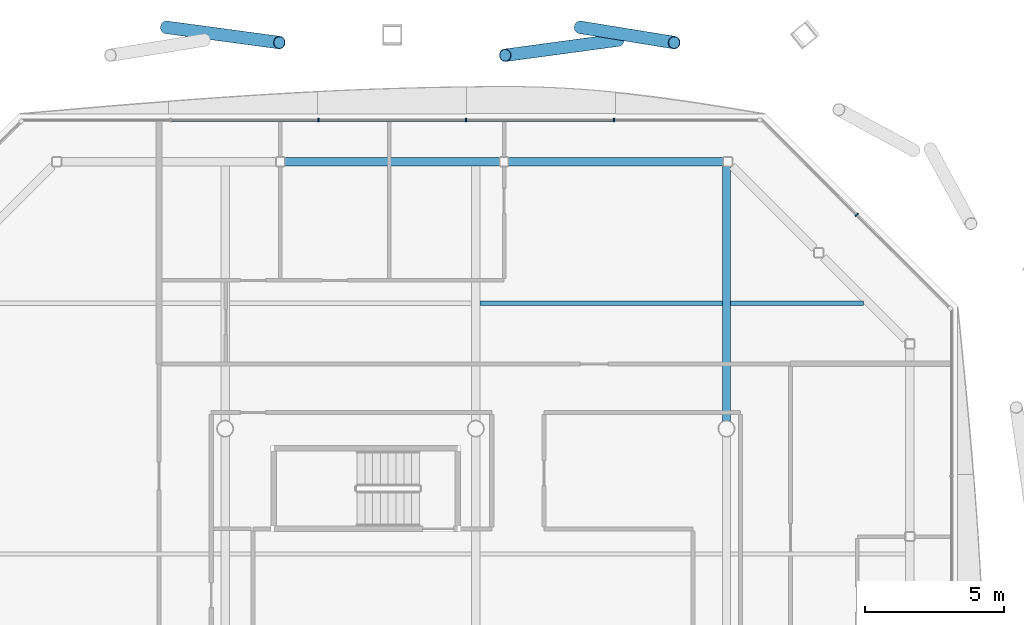
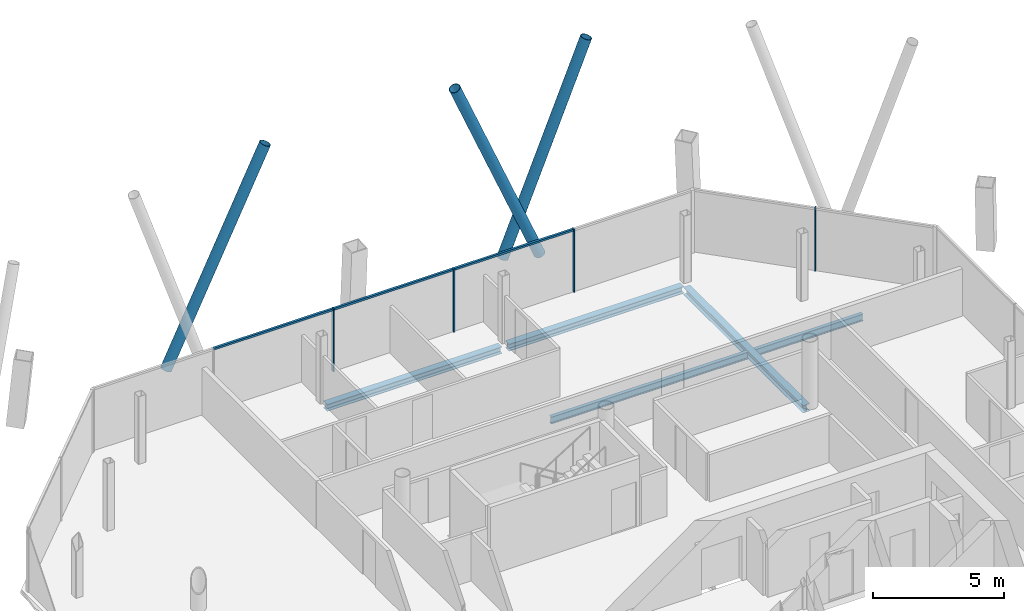
# One storey, part 10 of 19: 10 members, 5 beams, 2 elements without a shape of their own.
"""IFC4 building model written with IfcOpenShell, lengths in metres."""

from ifc_helpers import new_model, si_unit, direction, frame, origin, origin_2d, place, context, subcontext, project, spatial, rectangle, hollow_circle, i_section, extrude, material, material_profile, profile_set, type_object, element, aggregate, save


model = new_model("IFC4")

# Units and contexts
model_context = context("Model", 3, precision=1e-05, world=origin(), true_north=direction((0.0, 1.0)))
body_context = subcontext(model_context, "Body", "Model", "MODEL_VIEW")
ifc_project = project(units=[si_unit("LENGTHUNIT", "METRE"), si_unit("AREAUNIT", "SQUARE_METRE"), si_unit("VOLUMEUNIT", "CUBIC_METRE"), si_unit("PLANEANGLEUNIT", "RADIAN"), si_unit("MASSUNIT", "GRAM", prefix="KILO")], contexts=[model_context])

# Site, building, storey
site_placement = place(None, origin())
site = spatial("IfcSite", under=ifc_project, at=site_placement, CompositionType="ELEMENT")
building_placement = place(site_placement, origin())
building = spatial("IfcBuilding", under=site, at=building_placement, Name="Tskaro Facet Tower", CompositionType="ELEMENT")
storey_placement = place(building_placement, frame((0.0, 0.0, 191.10009765625)))
storey = spatial("IfcBuildingStorey", under=building, at=storey_placement, Name="L48", CompositionType="ELEMENT", Elevation=191.10009765625)

# Members
ifc_material_1 = material(Name="Steel S355J2H", Category="steel")
ifc_material_profile_1 = material_profile(ifc_material_1, hollow_circle(Radius=0.228515625, WallThickness=0.02001953125, at=origin_2d()), Name="CHS 457x20")
ifc_profile_set_1 = profile_set([ifc_material_profile_1], Name="Steel S355J2H")
member_type_1 = type_object("IfcMemberType", Name="CHS 457x20 brace", PredefinedType="BRACE", material=ifc_profile_set_1)
member_1_placement = place(storey_placement, frame((5.10791015625, 22.951904296875, 0.0), z_axis=(-0.393688073159, -0.053179304312, 0.917704561744), x_axis=(0.133864037519, -0.990999707093, 0.0)))
element("IfcMember", 1, at=member_1_placement, inside=storey, type_object=member_type_1, Name="CHS 457x20 XB07A/4", PredefinedType="BRACE", context=body_context, shape_type="SweptSolid", body=[
    extrude(hollow_circle(Radius=0.228515625, WallThickness=0.02001953125, at=origin_2d()), origin(), (0.0, 0.0, 1.0), 10.29736328125),
])
member_2_placement = place(storey_placement, frame((3.74853515625, 23.408935546875, 0.0), z_axis=(0.33577356224, -0.054492446285, 0.940365188743), x_axis=(0.160193408806, 0.987085645613, 0.0)))
element("IfcMember", 2, at=member_2_placement, inside=storey, type_object=member_type_1, Name="CHS 457x20 XB07B/4", PredefinedType="BRACE", context=body_context, shape_type="SweptSolid", body=[
    extrude(hollow_circle(Radius=0.228515625, WallThickness=0.02001953125, at=origin_2d()), origin(), (0.0, 0.0, 1.0), 10.04931640625),
])
member_3_placement = place(storey_placement, frame((-11.10791015625, 23.408935546875, 0.0), z_axis=(0.393688073159, -0.053179304312, 0.917704561744), x_axis=(0.133864037519, 0.990999707093, 0.0)))
element("IfcMember", 3, at=member_3_placement, inside=storey, type_object=member_type_1, Name="CHS 457x20 XB08B/4", PredefinedType="BRACE", context=body_context, shape_type="SweptSolid", body=[
    extrude(hollow_circle(Radius=0.228515625, WallThickness=0.02001953125, at=origin_2d()), origin(), (0.0, 0.0, 1.0), 10.29736328125),
])

# Curtain wall, member
ifc_material_2 = material(Name="Bronze anodised aluminium 6063-T6", Category="aluminium")
curtain_wall_type = type_object("IfcCurtainWallType", Name="Bronze residence curtain wall (FW3)", PredefinedType="NOTDEFINED", material=ifc_material_2)
curtain_wall_1_placement = place(storey_placement, origin())
curtain_wall_1 = element("IfcCurtainWall", 4, at=curtain_wall_1_placement, inside=storey, type_object=curtain_wall_type, Name="FW3 north-east facet L48", PredefinedType="NOTDEFINED")
ifc_material_profile_2 = material_profile(ifc_material_2, rectangle(XDim=0.050048828125, YDim=0.139892578125, at=origin_2d()), Name="Mullion 50x140")
ifc_profile_set_2 = profile_set([ifc_material_profile_2], Name="Bronze anodised aluminium 6063-T6")
member_type_2 = type_object("IfcMemberType", Name="FW3 bronze mullion 50x140", PredefinedType="MULLION", material=ifc_profile_set_2)
member_4_placement = place(storey_placement, frame((13.675048828125, 16.675048828125, 0.0), z_axis=(0.0, 0.0, 1.0), x_axis=(-0.707106781187, 0.707106781187, 0.0)))
member_4 = element("IfcMember", 5, at=member_4_placement, type_object=member_type_2, Name="FW3 north-east mullion 1", PredefinedType="MULLION", context=body_context, shape_type="SweptSolid", body=[
    extrude(rectangle(XDim=0.050048828125, YDim=0.139892578125, at=origin_2d()), origin(), (0.0, 0.0, 1.0), 2.949951171875),
])
aggregate(curtain_wall_1, [member_4])

# Curtain wall, members
curtain_wall_2_placement = place(storey_placement, origin())
curtain_wall_2 = element("IfcCurtainWall", 6, at=curtain_wall_2_placement, inside=storey, type_object=curtain_wall_type, Name="FW3 north facet L48", PredefinedType="NOTDEFINED")
member_5_placement = place(storey_placement, frame((4.9619140625, 20.080078125, 0.0), z_axis=(0.0, 0.0, 1.0), x_axis=(-1.0, 0.0, 0.0)))
member_5 = element("IfcMember", 7, at=member_5_placement, type_object=member_type_2, Name="FW3 north mullion 1", PredefinedType="MULLION", context=body_context, shape_type="SweptSolid", body=[
    extrude(rectangle(XDim=0.050048828125, YDim=0.139892578125, at=origin_2d()), origin(), (0.0, 0.0, 1.0), 2.949951171875),
])
member_6_placement = place(storey_placement, frame((-0.345947265625, 20.080078125, 0.0), z_axis=(0.0, 0.0, 1.0), x_axis=(-1.0, 0.0, 0.0)))
member_6 = element("IfcMember", 8, at=member_6_placement, type_object=member_type_2, Name="FW3 north mullion 2", PredefinedType="MULLION", context=body_context, shape_type="SweptSolid", body=[
    extrude(rectangle(XDim=0.050048828125, YDim=0.139892578125, at=origin_2d()), origin(), (0.0, 0.0, 1.0), 2.949951171875),
])
member_7_placement = place(storey_placement, frame((-5.654052734375, 20.080078125, 0.0), z_axis=(0.0, 0.0, 1.0), x_axis=(-1.0, 0.0, 0.0)))
member_7 = element("IfcMember", 9, at=member_7_placement, type_object=member_type_2, Name="FW3 north mullion 3", PredefinedType="MULLION", context=body_context, shape_type="SweptSolid", body=[
    extrude(rectangle(XDim=0.050048828125, YDim=0.139892578125, at=origin_2d()), origin(), (0.0, 0.0, 1.0), 2.949951171875),
])
ifc_material_profile_3 = material_profile(ifc_material_2, rectangle(XDim=0.10009765625, YDim=0.090087890625, at=origin_2d()), Name="Transom 100x90")
ifc_profile_set_3 = profile_set([ifc_material_profile_3], Name="Bronze anodised aluminium 6063-T6")
member_type_3 = type_object("IfcMemberType", Name="FW3 bronze transom 100x90", PredefinedType="USERDEFINED", material=ifc_profile_set_3)
member_8_placement = place(storey_placement, frame((4.93701171875, 20.080078125, 2.90478515625), z_axis=(-1.0, 0.0, 0.0), x_axis=(0.0, -1.0, 0.0)))
member_8 = element("IfcMember", 10, at=member_8_placement, type_object=member_type_3, Name="FW3 north transom 2.1", ObjectType="TRANSOM", PredefinedType="USERDEFINED", context=body_context, shape_type="SweptSolid", body=[
    extrude(rectangle(XDim=0.10009765625, YDim=0.090087890625, at=origin_2d()), origin(), (0.0, 0.0, 1.0), 5.258056640625),
])
member_9_placement = place(storey_placement, frame((-0.37109375, 20.080078125, 2.90478515625), z_axis=(-1.0, 0.0, 0.0), x_axis=(0.0, -1.0, 0.0)))
member_9 = element("IfcMember", 11, at=member_9_placement, type_object=member_type_3, Name="FW3 north transom 3.1", ObjectType="TRANSOM", PredefinedType="USERDEFINED", context=body_context, shape_type="SweptSolid", body=[
    extrude(rectangle(XDim=0.10009765625, YDim=0.090087890625, at=origin_2d()), origin(), (0.0, 0.0, 1.0), 5.2578125),
])
member_10_placement = place(storey_placement, frame((-5.678955078125, 20.080078125, 2.90478515625), z_axis=(-1.0, 0.0, 0.0), x_axis=(0.0, -1.0, 0.0)))
member_10 = element("IfcMember", 12, at=member_10_placement, type_object=member_type_3, Name="FW3 north transom 4.1", ObjectType="TRANSOM", PredefinedType="USERDEFINED", context=body_context, shape_type="SweptSolid", body=[
    extrude(rectangle(XDim=0.10009765625, YDim=0.090087890625, at=origin_2d()), origin(), (0.0, 0.0, 1.0), 5.258056640625),
])
aggregate(curtain_wall_2, [member_5, member_6, member_7, member_8, member_9, member_10])

# Beams
ifc_material_3 = material(Name="Steel S355J2", Category="steel")
ifc_material_profile_4 = material_profile(ifc_material_3, i_section(OverallWidth=0.300048828125, OverallDepth=0.320068359375, WebThickness=0.011474609375, FlangeThickness=0.0205078125, FilletRadius=0.027099609375, at=origin_2d()), Name="HE 320 B")
ifc_profile_set_4 = profile_set([ifc_material_profile_4], Name="Steel S355J2")
beam_type_1 = type_object("IfcBeamType", Name="HE 320 B ring beam", PredefinedType="BEAM", material=ifc_profile_set_4)
beam_1_placement = place(storey_placement, frame((8.89111328125, 18.5830078125, -0.300048828125), z_axis=(-1.0, 0.0, 0.0), x_axis=(0.0, -1.0, 0.0)))
element("IfcBeam", 13, at=beam_1_placement, inside=storey, type_object=beam_type_1, Name="HE 320 B EB12-4", PredefinedType="BEAM", context=body_context, shape_type="SweptSolid", body=[
    extrude(i_section(OverallWidth=0.300048828125, OverallDepth=0.320068359375, WebThickness=0.011474609375, FlangeThickness=0.0205078125, FilletRadius=0.027099609375, at=origin_2d()), origin(), (0.0, 0.0, 1.0), 7.72119140625),
])
beam_2_placement = place(storey_placement, frame((0.860107421875, 18.5830078125, -0.300048828125), z_axis=(-1.0, 0.0, 0.0), x_axis=(0.0, -1.0, 0.0)))
element("IfcBeam", 14, at=beam_2_placement, inside=storey, type_object=beam_type_1, Name="HE 320 B EB13-4", PredefinedType="BEAM", context=body_context, shape_type="SweptSolid", body=[
    extrude(i_section(OverallWidth=0.300048828125, OverallDepth=0.320068359375, WebThickness=0.011474609375, FlangeThickness=0.0205078125, FilletRadius=0.027099609375, at=origin_2d()), origin(), (0.0, 0.0, 1.0), 7.72021484375),
])
ifc_material_profile_5 = material_profile(ifc_material_3, i_section(OverallWidth=0.300048828125, OverallDepth=0.35009765625, WebThickness=0.010009765625, FlangeThickness=0.017578125, FilletRadius=0.027099609375, at=origin_2d()), Name="HE 360 A")
ifc_profile_set_5 = profile_set([ifc_material_profile_5], Name="Steel S355J2")
beam_type_2 = type_object("IfcBeamType", Name="HE 360 A girder", PredefinedType="BEAM", material=ifc_profile_set_5)
beam_3_placement = place(storey_placement, frame((9.0, 9.27490234375, -0.315185546875), z_axis=(0.0, 1.0, 0.0), x_axis=(-1.0, 0.0, 0.0)))
element("IfcBeam", 15, at=beam_3_placement, inside=storey, type_object=beam_type_2, Name="HE 360 A GB5-3-4", PredefinedType="BEAM", context=body_context, shape_type="SweptSolid", body=[
    extrude(i_section(OverallWidth=0.300048828125, OverallDepth=0.35009765625, WebThickness=0.010009765625, FlangeThickness=0.017578125, FilletRadius=0.027099609375, at=origin_2d()), origin(), (0.0, 0.0, 1.0), 9.14208984375),
])
ifc_material_profile_6 = material_profile(ifc_material_3, i_section(OverallWidth=0.159912109375, OverallDepth=0.330078125, WebThickness=0.007568359375, FlangeThickness=0.011474609375, FilletRadius=0.01806640625, at=origin_2d()), Name="IPE 330")
ifc_profile_set_6 = profile_set([ifc_material_profile_6], Name="Steel S355J2")
beam_type_3 = type_object("IfcBeamType", Name="IPE 330 secondary beam", PredefinedType="BEAM", material=ifc_profile_set_6)
beam_4_placement = place(storey_placement, frame((0.14990234375, 13.5, -0.30517578125), z_axis=(1.0, 0.0, 0.0), x_axis=(0.0, 1.0, 0.0)))
element("IfcBeam", 16, at=beam_4_placement, inside=storey, type_object=beam_type_3, Name="IPE 330 SB5a-4-4", PredefinedType="BEAM", context=body_context, shape_type="SweptSolid", body=[
    extrude(i_section(OverallWidth=0.159912109375, OverallDepth=0.330078125, WebThickness=0.007568359375, FlangeThickness=0.011474609375, FilletRadius=0.01806640625, at=origin_2d()), origin(), (0.0, 0.0, 1.0), 8.7001953125),
])
beam_5_placement = place(storey_placement, frame((9.14990234375, 13.5, -0.30517578125), z_axis=(1.0, 0.0, 0.0), x_axis=(0.0, 1.0, 0.0)))
element("IfcBeam", 17, at=beam_5_placement, inside=storey, type_object=beam_type_3, Name="IPE 330 SB5a-5-4", PredefinedType="BEAM", context=body_context, shape_type="SweptSolid", body=[
    extrude(i_section(OverallWidth=0.159912109375, OverallDepth=0.330078125, WebThickness=0.007568359375, FlangeThickness=0.011474609375, FilletRadius=0.01806640625, at=origin_2d()), origin(), (0.0, 0.0, 1.0), 4.76708984375),
])

save(model, "model.ifc")
